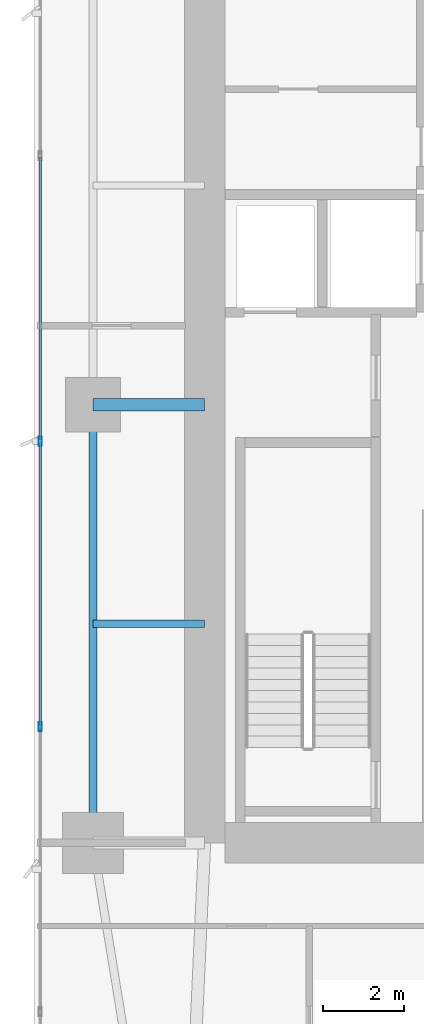
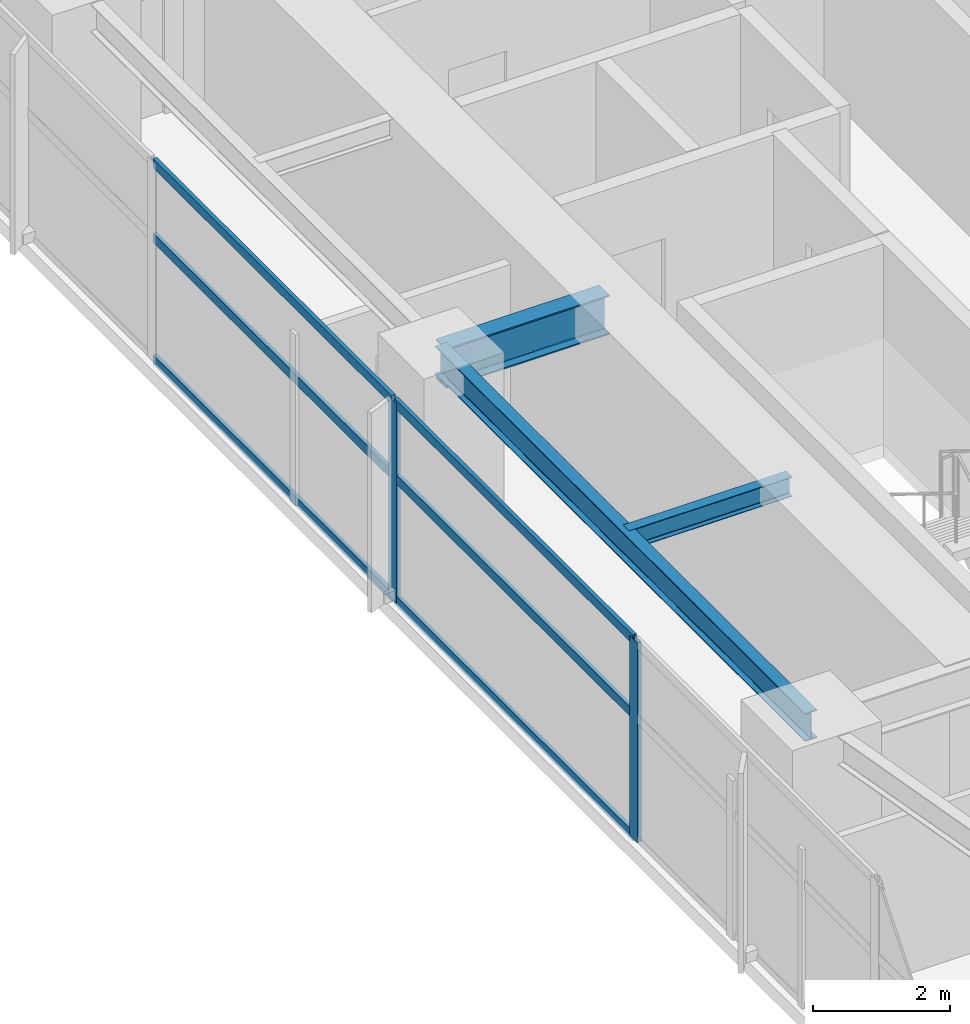
# One storey, part 8 of 29: 8 members, 3 beams, 1 element without a shape of its own.
"""IFC4 building model written with IfcOpenShell, lengths in metres."""

import ifcopenshell
import ifcopenshell.guid

model = None  # the IFC model being written
_history = None  # IfcOwnerHistory: only IFC2X3 demands one
_inside = {}  # id of a spatial element -> (the spatial element, [elements in it])
_under = {}  # id of a project, library or spatial element -> (it, [spatial elements below it])
_declared = {}  # id of a project -> (the project, [libraries it declares])
_typed = {}  # id of a type object -> (the type object, [elements of that type])
_made_of = {}  # id of a material, layer set ... -> (it, [elements and type objects made of it])


def new_model(schema):
    """Start an empty IFC model of exactly this schema.

    Asked for "IFC4X3", IfcOpenShell would pick the latest addendum, in which some entities
    have other attributes; the version numbers below select the first issue.
    IFC2X3 requires an IfcOwnerHistory on every rooted entity: one is made here for all.
    """
    global model, _history
    if schema == "IFC4X3":
        model = ifcopenshell.file(schema_version=(4, 3, 0, 0))
    else:
        model = ifcopenshell.file(schema=schema)
    _inside.clear()
    _under.clear()
    _declared.clear()
    _typed.clear()
    _made_of.clear()
    _history = None
    if model.schema == "IFC2X3":
        org = make("IfcOrganization", Name="unknown")
        user = make(
            "IfcPersonAndOrganization",
            ThePerson=make("IfcPerson", FamilyName="unknown"),
            TheOrganization=org,
        )
        app = make(
            "IfcApplication",
            ApplicationDeveloper=org,
            Version="unknown",
            ApplicationFullName="unknown",
            ApplicationIdentifier="unknown",
        )
        _history = make(
            "IfcOwnerHistory",
            OwningUser=user,
            OwningApplication=app,
            ChangeAction="ADDED",
            CreationDate=0,
        )
    return model


def make(cls, **values):
    """One entity of the class cls with the attributes given. An attribute that is None is left unset."""
    return model.create_entity(
        cls, **{name: value for name, value in values.items() if value is not None}
    )


def rooted(cls, **values):
    """An entity with a GlobalId (a new one), such as an element, a storey or a relation."""
    return make(cls, GlobalId=ifcopenshell.guid.new(), OwnerHistory=_history, **values)


def si_unit(unit_type, name, prefix=None):
    """IfcSIUnit, for example si_unit("LENGTHUNIT", "METRE", prefix="MILLI")."""
    return make("IfcSIUnit", UnitType=unit_type, Prefix=prefix, Name=name)


def assignment(units):
    """IfcUnitAssignment: the units of a project."""
    return None if units is None else make("IfcUnitAssignment", Units=units)


def point(xyz):
    """IfcCartesianPoint."""
    return None if xyz is None else make("IfcCartesianPoint", Coordinates=xyz)


def direction(xyz):
    """IfcDirection."""
    return None if xyz is None else make("IfcDirection", DirectionRatios=xyz)


def frame(location, z_axis=None, x_axis=None):
    """IfcAxis2Placement3D, a coordinate frame: its origin and axes. An axis left out is left unset."""
    return make(
        "IfcAxis2Placement3D",
        Location=point(location),
        Axis=direction(z_axis),
        RefDirection=direction(x_axis),
    )


def frame_2d(location, x_axis=None):
    """IfcAxis2Placement2D, a coordinate frame in the plane: its origin and x axis."""
    return make(
        "IfcAxis2Placement2D", Location=point(location), RefDirection=direction(x_axis)
    )


def origin():
    """The frame at (0, 0, 0) with its axes left unset."""
    return frame((0.0, 0.0, 0.0))


def origin_2d():
    """The frame at (0, 0) in the plane with its x axis left unset."""
    return frame_2d((0.0, 0.0))


def place(relative_to, where):
    """IfcLocalPlacement: puts the frame where relative to a parent placement (None: the world)."""
    return make(
        "IfcLocalPlacement", PlacementRelTo=relative_to, RelativePlacement=where
    )


def context(
    kind, dimensions, precision=None, world=None, true_north=None, identifier=None
):
    """IfcGeometricRepresentationContext, for example the 3D "Model" context."""
    return make(
        "IfcGeometricRepresentationContext",
        ContextIdentifier=identifier,
        ContextType=kind,
        CoordinateSpaceDimension=dimensions,
        Precision=precision,
        WorldCoordinateSystem=world,
        TrueNorth=true_north,
    )


def subcontext(parent, identifier, kind, view, scale=None):
    """IfcGeometricRepresentationSubContext, for example "Body" below "Model"."""
    return make(
        "IfcGeometricRepresentationSubContext",
        ContextIdentifier=identifier,
        ContextType=kind,
        ParentContext=parent,
        TargetScale=scale,
        TargetView=view,
    )


def project(units=None, contexts=None):
    """IfcProject with its units and contexts."""
    return rooted(
        "IfcProject",
        Name="project",
        RepresentationContexts=contexts,
        UnitsInContext=assignment(units),
    )


def spatial(cls, under=None, at=None, **own):
    """A site, building, storey or space (cls), placed at a placement, below another one or the project."""
    s = rooted(cls, ObjectPlacement=at, **own)
    if under is not None:
        _under.setdefault(under.id(), (under, []))[1].append(s)
    return s


def profile(cls, at=None, kind="AREA", **sizes):
    """A parametric profile (cls). Its sizes go by their IFC names, for example OverallWidth=200.0."""
    return make(cls, ProfileType=kind, Position=at, **sizes)


def hollow_rectangle(**sizes):
    """IfcRectangleHollowProfileDef."""
    return profile("IfcRectangleHollowProfileDef", **sizes)


def i_section(**sizes):
    """IfcIShapeProfileDef."""
    return profile("IfcIShapeProfileDef", **sizes)


def extrude(swept, where, along, depth):
    """IfcExtrudedAreaSolid: the profile swept, set in the frame where, extruded along a direction by depth."""
    return make(
        "IfcExtrudedAreaSolid",
        SweptArea=swept,
        Position=where,
        ExtrudedDirection=direction(along),
        Depth=depth,
    )


def shape(context_of_items, identifier, shape_type, items):
    """IfcShapeRepresentation: the items that make up one representation, for example the "Body"."""
    return make(
        "IfcShapeRepresentation",
        ContextOfItems=context_of_items,
        RepresentationIdentifier=identifier,
        RepresentationType=shape_type,
        Items=items,
    )


def material(Name=None, Category=None):
    """IfcMaterial."""
    return make("IfcMaterial", Name=Name, Category=Category)


def layer(
    of_material, thickness, ventilated=None, Name=None, Category=None, Priority=None
):
    """IfcMaterialLayer: one layer of a wall or slab, of a material (None: an air gap)."""
    return make(
        "IfcMaterialLayer",
        Material=of_material,
        LayerThickness=thickness,
        IsVentilated=ventilated,
        Name=Name,
        Category=Category,
        Priority=Priority,
    )


def layer_set(layers, Name=None):
    """IfcMaterialLayerSet."""
    return make("IfcMaterialLayerSet", MaterialLayers=layers, LayerSetName=Name)


def material_profile(
    of_material, cross_section, Name=None, Category=None, Priority=None
):
    """IfcMaterialProfile: a cross section and its material."""
    return make(
        "IfcMaterialProfile",
        Name=Name,
        Material=of_material,
        Profile=cross_section,
        Priority=Priority,
        Category=Category,
    )


def profile_set(profiles, Name=None, composite=None):
    """IfcMaterialProfileSet."""
    return make(
        "IfcMaterialProfileSet",
        Name=Name,
        MaterialProfiles=profiles,
        CompositeProfile=composite,
    )


def made_of(thing, what):
    """Note that an element or type object is made of a material, layer set ...; save() writes the relation."""
    if what is not None:
        _made_of.setdefault(what.id(), (what, []))[1].append(thing)
    return thing


def type_object(cls, material=None, **own):
    """A type object (cls), such as IfcWallType, which elements share."""
    return made_of(rooted(cls, **own), material)


def element(
    cls,
    number,
    at=None,
    inside=None,
    cuts=None,
    type_object=None,
    material=None,
    context=None,
    identifier="Body",
    shape_type=None,
    held_by="IfcProductDefinitionShape",
    body=None,
    shapes=None,
    **own,
):
    """One element of the class cls, such as IfcWall. Its Tag is "e" and its number.

    at: its placement. inside: the storey or other place that contains it. cuts: it is an
    opening in that element (IfcRelVoidsElement). A single representation is given by context,
    identifier, shape_type and body (its items); several are given by shapes. held_by: the class
    of the entity that holds the representations. save() writes the other relations.
    """
    e = rooted(cls, Tag="e%d" % number, ObjectPlacement=at, **own)
    if body is not None:
        shapes = [shape(context, identifier, shape_type, body)]
    if shapes is not None:
        e.Representation = make(held_by, Representations=shapes)
    if inside is not None:
        _inside.setdefault(inside.id(), (inside, []))[1].append(e)
    if cuts is not None:
        rooted(
            "IfcRelVoidsElement", RelatingBuildingElement=cuts, RelatedOpeningElement=e
        )
    if type_object is not None:
        _typed.setdefault(type_object.id(), (type_object, []))[1].append(e)
    return made_of(e, material)


def aggregate(whole, parts):
    """IfcRelAggregates: a whole, such as a stair, and the parts it consists of."""
    return rooted("IfcRelAggregates", RelatingObject=whole, RelatedObjects=parts)


def save(model, path):
    """Write the relations noted so far, then the file.

    IfcRelAggregates (storeys below a building ...), IfcRelContainedInSpatialStructure (elements
    in a storey), IfcRelDefinesByType, IfcRelAssociatesMaterial and IfcRelDeclares: one each for
    every whole, place, type object, material and project.
    """
    for whole, parts in _under.values():
        aggregate(whole, parts)
    for where, things in _inside.values():
        rooted(
            "IfcRelContainedInSpatialStructure",
            RelatedElements=things,
            RelatingStructure=where,
        )
    for kind, things in _typed.values():
        rooted("IfcRelDefinesByType", RelatedObjects=things, RelatingType=kind)
    for what, things in _made_of.values():
        rooted("IfcRelAssociatesMaterial", RelatedObjects=things, RelatingMaterial=what)
    for by, libraries in _declared.values():
        rooted("IfcRelDeclares", RelatingContext=by, RelatedDefinitions=libraries)
    model.write(path)


model = new_model("IFC4")

# Units and contexts
model_context = context("Model", 3, precision=1e-05, world=origin(), true_north=direction((0.0, 1.0)))
body_context = subcontext(model_context, "Body", "Model", "MODEL_VIEW")
ifc_project = project(units=[si_unit("LENGTHUNIT", "METRE"), si_unit("AREAUNIT", "SQUARE_METRE"), si_unit("VOLUMEUNIT", "CUBIC_METRE"), si_unit("PLANEANGLEUNIT", "RADIAN"), si_unit("MASSUNIT", "GRAM", prefix="KILO")], contexts=[model_context])

# Site, building, storey
site_placement = place(None, origin())
site = spatial("IfcSite", under=ifc_project, at=site_placement, CompositionType="ELEMENT")
building_placement = place(site_placement, origin())
building = spatial("IfcBuilding", under=site, at=building_placement, Name="Calvorn Quay Hotel", CompositionType="ELEMENT")
storey_placement = place(building_placement, frame((0.0, 0.0, 62.199951171875)))
storey = spatial("IfcBuildingStorey", under=building, at=storey_placement, Name="L14", CompositionType="ELEMENT", Elevation=62.199951171875)

# Beams
ifc_material_1 = material(Name="Steel Q390GJC", Category="steel")
ifc_material_profile_1 = material_profile(ifc_material_1, i_section(OverallWidth=0.300048828125, OverallDepth=0.699951171875, WebThickness=0.012939453125, FlangeThickness=0.02392578125, FilletRadius=0.02392578125, at=origin_2d()), Name="HN700x300x13x24")
ifc_profile_set_1 = profile_set([ifc_material_profile_1], Name="Steel Q390GJC")
beam_type_1 = type_object("IfcBeamType", Name="BM-GIRD-MAIN", PredefinedType="BEAM", material=ifc_profile_set_1)
beam_1_placement = place(storey_placement, frame((1.449951171875, 27.60009765625, 3.18994140625), z_axis=(1.0, 0.0, 0.0), x_axis=(0.0, 1.0, 0.0)))
element("IfcBeam", 1, at=beam_1_placement, inside=storey, type_object=beam_type_1, Name="Beam BG-L14-W2", PredefinedType="BEAM", context=body_context, shape_type="SweptSolid", body=[
    extrude(i_section(OverallWidth=0.300048828125, OverallDepth=0.699951171875, WebThickness=0.012939453125, FlangeThickness=0.02392578125, FilletRadius=0.02392578125, at=origin_2d()), origin(), (0.0, 0.0, 1.0), 2.75),
])
ifc_material_2 = material(Name="Steel Q355B", Category="steel")
ifc_material_profile_2 = material_profile(ifc_material_2, i_section(OverallWidth=0.175048828125, OverallDepth=0.35009765625, WebThickness=0.007080078125, FlangeThickness=0.010986328125, FilletRadius=0.013916015625, at=origin_2d()), Name="HN350x175x7x11")
ifc_profile_set_2 = profile_set([ifc_material_profile_2], Name="Steel Q355B")
beam_type_2 = type_object("IfcBeamType", Name="BM-JOIST-SEC", PredefinedType="JOIST", material=ifc_profile_set_2)
beam_2_placement = place(storey_placement, frame((1.449951171875, 22.199951171875, 3.364990234375), z_axis=(1.0, 0.0, 0.0), x_axis=(0.0, 1.0, 0.0)))
element("IfcBeam", 2, at=beam_2_placement, inside=storey, type_object=beam_type_2, Name="Beam BJ-L14-W3", PredefinedType="JOIST", context=body_context, shape_type="SweptSolid", body=[
    extrude(i_section(OverallWidth=0.175048828125, OverallDepth=0.35009765625, WebThickness=0.007080078125, FlangeThickness=0.010986328125, FilletRadius=0.013916015625, at=origin_2d()), origin(), (0.0, 0.0, 1.0), 2.75),
])
ifc_material_3 = material(Name="Steel Q355B", Category="steel")
ifc_material_profile_3 = material_profile(ifc_material_3, i_section(OverallWidth=0.199951171875, OverallDepth=0.5, WebThickness=0.010009765625, FlangeThickness=0.01611328125, FilletRadius=0.01611328125, at=origin_2d()), Name="HN500x200x10x16")
ifc_profile_set_3 = profile_set([ifc_material_profile_3], Name="Steel Q355B")
beam_type_3 = type_object("IfcBeamType", Name="BM-SPANDREL-Z1", PredefinedType="SPANDREL", material=ifc_profile_set_3)
beam_3_placement = place(storey_placement, frame((1.449951171875, 16.800048828125, 3.2900390625), z_axis=(0.0, 1.0, 0.0), x_axis=(-1.0, 0.0, 0.0)))
element("IfcBeam", 3, at=beam_3_placement, inside=storey, type_object=beam_type_3, Name="Beam BSP-L14-W2", PredefinedType="SPANDREL", context=body_context, shape_type="SweptSolid", body=[
    extrude(i_section(OverallWidth=0.199951171875, OverallDepth=0.5, WebThickness=0.010009765625, FlangeThickness=0.01611328125, FilletRadius=0.01611328125, at=origin_2d()), origin(), (0.0, 0.0, 1.0), 10.800048828125),
])

# Curtain wall, members
ifc_material_4 = material(Name="Pale Anodised Aluminium and Low-E Glass", Category="aluminium")
ifc_layer = layer(ifc_material_4, 0.219970703125)
ifc_layer_set = layer_set([ifc_layer], Name="CW-SYS-Z1")
curtain_wall_type = type_object("IfcCurtainWallType", Name="CW-SYS-Z1", PredefinedType="NOTDEFINED", material=ifc_layer_set)
curtain_wall_placement = place(storey_placement, origin())
curtain_wall = element("IfcCurtainWall", 4, at=curtain_wall_placement, inside=storey, type_object=curtain_wall_type, Name="Tower West Curtain Wall (L14)", PredefinedType="NOTDEFINED")
ifc_material_5 = material(Name="Pale Anodised Aluminium 6063-T6", Category="aluminium")
ifc_material_profile_4 = material_profile(ifc_material_5, hollow_rectangle(XDim=0.074951171875, YDim=0.219970703125, WallThickness=0.00439453125, at=origin_2d()), Name="ALU-M220x75x4.5")
ifc_profile_set_4 = profile_set([ifc_material_profile_4], Name="Pale Anodised Aluminium 6063-T6")
member_type_1 = type_object("IfcMemberType", Name="CW-SYS-Z1-MUL", PredefinedType="MULLION", material=ifc_profile_set_4)
member_1_placement = place(storey_placement, frame((0.14990234375, 19.666748046875, 0.0), z_axis=(0.0, 0.0, 1.0), x_axis=(-1.0, 0.0, 0.0)))
member_1 = element("IfcMember", 5, at=member_1_placement, type_object=member_type_1, Name="CW-L14-W mullion 3", PredefinedType="MULLION", context=body_context, shape_type="SweptSolid", body=[
    extrude(hollow_rectangle(XDim=0.074951171875, YDim=0.219970703125, WallThickness=0.00439453125, at=origin_2d()), origin(), (0.0, 0.0, 1.0), 3.56005859375),
])
member_2_placement = place(storey_placement, frame((0.14990234375, 26.699951171875, 0.0), z_axis=(0.0, 0.0, 1.0), x_axis=(-1.0, 0.0, 0.0)))
member_2 = element("IfcMember", 6, at=member_2_placement, type_object=member_type_1, Name="CW-L14-W mullion 4", PredefinedType="MULLION", context=body_context, shape_type="SweptSolid", body=[
    extrude(hollow_rectangle(XDim=0.074951171875, YDim=0.219970703125, WallThickness=0.00439453125, at=origin_2d()), origin(), (0.0, 0.0, 1.0), 3.56005859375),
])
ifc_material_6 = material(Name="Pale Anodised Aluminium 6063-T6", Category="aluminium")
ifc_material_profile_5 = material_profile(ifc_material_6, hollow_rectangle(XDim=0.06494140625, YDim=0.1650390625, WallThickness=0.00341796875, at=origin_2d()), Name="ALU-T165x65x3.5")
ifc_profile_set_5 = profile_set([ifc_material_profile_5], Name="Pale Anodised Aluminium 6063-T6")
member_type_2 = type_object("IfcMemberType", Name="CW-SYS-Z1-TRN", PredefinedType="USERDEFINED", material=ifc_profile_set_5)
member_3_placement = place(storey_placement, frame((0.14990234375, 19.69677734375, 0.030029296875), z_axis=(0.0, 1.0, 0.0), x_axis=(-1.0, 0.0, 0.0)))
member_3 = element("IfcMember", 7, at=member_3_placement, type_object=member_type_2, Name="CW-L14-W transom 3.1", ObjectType="TRANSOM", PredefinedType="USERDEFINED", context=body_context, shape_type="SweptSolid", body=[
    extrude(hollow_rectangle(XDim=0.06494140625, YDim=0.1650390625, WallThickness=0.00341796875, at=origin_2d()), origin(), (0.0, 0.0, 1.0), 6.97314453125),
])
member_4_placement = place(storey_placement, frame((0.14990234375, 19.69677734375, 2.199951171875), z_axis=(0.0, 1.0, 0.0), x_axis=(-1.0, 0.0, 0.0)))
member_4 = element("IfcMember", 8, at=member_4_placement, type_object=member_type_2, Name="CW-L14-W transom 3.2", ObjectType="TRANSOM", PredefinedType="USERDEFINED", context=body_context, shape_type="SweptSolid", body=[
    extrude(hollow_rectangle(XDim=0.06494140625, YDim=0.1650390625, WallThickness=0.00341796875, at=origin_2d()), origin(), (0.0, 0.0, 1.0), 6.97314453125),
])
member_5_placement = place(storey_placement, frame((0.14990234375, 19.69677734375, 3.530029296875), z_axis=(0.0, 1.0, 0.0), x_axis=(-1.0, 0.0, 0.0)))
member_5 = element("IfcMember", 9, at=member_5_placement, type_object=member_type_2, Name="CW-L14-W transom 3.3", ObjectType="TRANSOM", PredefinedType="USERDEFINED", context=body_context, shape_type="SweptSolid", body=[
    extrude(hollow_rectangle(XDim=0.06494140625, YDim=0.1650390625, WallThickness=0.00341796875, at=origin_2d()), origin(), (0.0, 0.0, 1.0), 6.97314453125),
])
member_6_placement = place(storey_placement, frame((0.14990234375, 26.72998046875, 0.030029296875), z_axis=(0.0, 1.0, 0.0), x_axis=(-1.0, 0.0, 0.0)))
member_6 = element("IfcMember", 10, at=member_6_placement, type_object=member_type_2, Name="CW-L14-W transom 4.1", ObjectType="TRANSOM", PredefinedType="USERDEFINED", context=body_context, shape_type="SweptSolid", body=[
    extrude(hollow_rectangle(XDim=0.06494140625, YDim=0.1650390625, WallThickness=0.00341796875, at=origin_2d()), origin(), (0.0, 0.0, 1.0), 6.973388671875),
])
member_7_placement = place(storey_placement, frame((0.14990234375, 26.72998046875, 2.199951171875), z_axis=(0.0, 1.0, 0.0), x_axis=(-1.0, 0.0, 0.0)))
member_7 = element("IfcMember", 11, at=member_7_placement, type_object=member_type_2, Name="CW-L14-W transom 4.2", ObjectType="TRANSOM", PredefinedType="USERDEFINED", context=body_context, shape_type="SweptSolid", body=[
    extrude(hollow_rectangle(XDim=0.06494140625, YDim=0.1650390625, WallThickness=0.00341796875, at=origin_2d()), origin(), (0.0, 0.0, 1.0), 6.973388671875),
])
member_8_placement = place(storey_placement, frame((0.14990234375, 26.72998046875, 3.530029296875), z_axis=(0.0, 1.0, 0.0), x_axis=(-1.0, 0.0, 0.0)))
member_8 = element("IfcMember", 12, at=member_8_placement, type_object=member_type_2, Name="CW-L14-W transom 4.3", ObjectType="TRANSOM", PredefinedType="USERDEFINED", context=body_context, shape_type="SweptSolid", body=[
    extrude(hollow_rectangle(XDim=0.06494140625, YDim=0.1650390625, WallThickness=0.00341796875, at=origin_2d()), origin(), (0.0, 0.0, 1.0), 6.973388671875),
])
aggregate(curtain_wall, [member_1, member_2, member_3, member_4, member_5, member_6, member_7, member_8])

save(model, "model.ifc")
